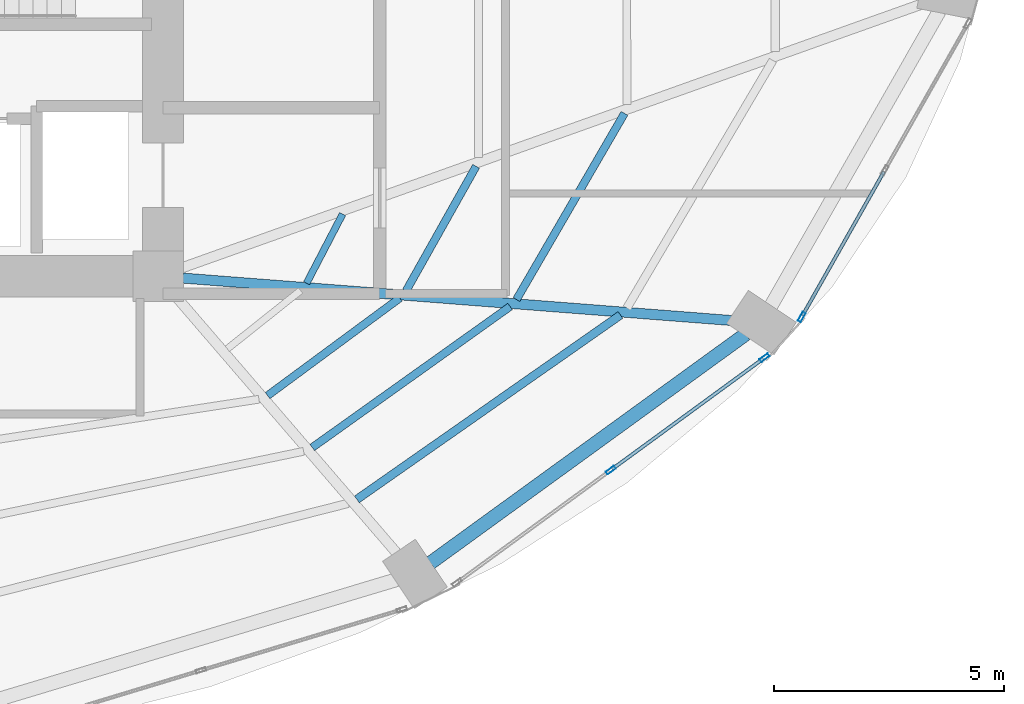
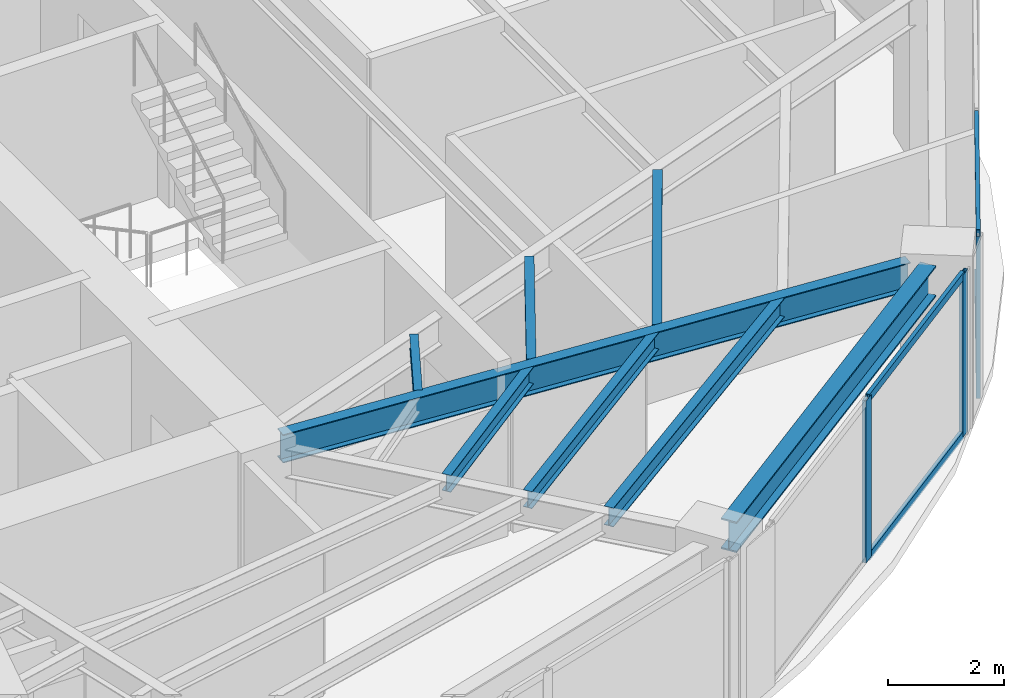
# One storey, part 11 of 25: 8 beams, 7 members, 2 elements without a shape of their own.
"""IFC4 building model written with IfcOpenShell, lengths in metres."""

from ifc_helpers import new_model, si_unit, direction, frame, origin, origin_2d, place, context, subcontext, project, spatial, hollow_rectangle, i_section, extrude, material, layer, layer_set, material_profile, profile_set, type_object, element, aggregate, save


model = new_model("IFC4")

# Units and contexts
model_context = context("Model", 3, precision=1e-05, world=origin(), true_north=direction((0.0, 1.0)))
body_context = subcontext(model_context, "Body", "Model", "MODEL_VIEW")
ifc_project = project(units=[si_unit("LENGTHUNIT", "METRE"), si_unit("AREAUNIT", "SQUARE_METRE"), si_unit("VOLUMEUNIT", "CUBIC_METRE"), si_unit("PLANEANGLEUNIT", "RADIAN"), si_unit("MASSUNIT", "GRAM", prefix="KILO")], contexts=[model_context])

# Site, building, storey
site_placement = place(None, origin())
site = spatial("IfcSite", under=ifc_project, at=site_placement, CompositionType="ELEMENT")
building_placement = place(site_placement, origin())
building = spatial("IfcBuilding", under=site, at=building_placement, Name="Lazwardi Medical Tower", CompositionType="ELEMENT")
storey_placement = place(building_placement, frame((0.0, 0.0, 43.43994140625)))
storey = spatial("IfcBuildingStorey", under=building, at=storey_placement, Name="L10", CompositionType="ELEMENT", Elevation=43.43994140625)

# Beams
ifc_material_1 = material(Name="Steel S355", Category="steel")
ifc_material_profile_1 = material_profile(ifc_material_1, i_section(OverallWidth=0.300048828125, OverallDepth=0.64990234375, WebThickness=0.01611328125, FlangeThickness=0.031005859375, at=origin_2d()), Name="HEB 650")
ifc_profile_set_1 = profile_set([ifc_material_profile_1], Name="Steel S355")
beam_type_1 = type_object("IfcBeamType", Name="BM-RB-Z1", PredefinedType="BEAM", material=ifc_profile_set_1)
beam_1_placement = place(storey_placement, frame((51.52099609375, 14.16259765625, 3.10302734375), z_axis=(0.80939338516, 0.5872668457, 0.0), x_axis=(-0.5872668457, 0.80939338516, 0.0)))
element("IfcBeam", 1, at=beam_1_placement, inside=storey, type_object=beam_type_1, Name="Ring beam RB-02 B02 L10", PredefinedType="BEAM", context=body_context, shape_type="SweptSolid", body=[
    extrude(i_section(OverallWidth=0.300048828125, OverallDepth=0.64990234375, WebThickness=0.01611328125, FlangeThickness=0.031005859375, at=origin_2d()), origin(), (0.0, 0.0, 1.0), 8.47412109375),
])
ifc_material_profile_2 = material_profile(ifc_material_1, i_section(OverallWidth=0.219970703125, OverallDepth=0.60009765625, WebThickness=0.011962890625, FlangeThickness=0.01904296875, at=origin_2d()), Name="IPE 600")
ifc_profile_set_2 = profile_set([ifc_material_profile_2], Name="Steel S355")
beam_type_2 = type_object("IfcBeamType", Name="BM-RG-W1", PredefinedType="BEAM", material=ifc_profile_set_2)
beam_2_placement = place(storey_placement, frame((58.1416015625, 19.430419921875, 3.128173828125), z_axis=(-0.997024241118, 0.077088667283, 0.0), x_axis=(-0.077088667283, -0.997024241118, 0.0)))
element("IfcBeam", 2, at=beam_2_placement, inside=storey, type_object=beam_type_2, Name="Radial girder RG-02 R03 L10", PredefinedType="BEAM", context=body_context, shape_type="SweptSolid", body=[
    extrude(i_section(OverallWidth=0.219970703125, OverallDepth=0.60009765625, WebThickness=0.011962890625, FlangeThickness=0.01904296875, at=origin_2d()), origin(), (0.0, 0.0, 1.0), 12.044189453125),
])
ifc_material_profile_3 = material_profile(ifc_material_1, i_section(OverallWidth=0.179931640625, OverallDepth=0.39990234375, WebThickness=0.008544921875, FlangeThickness=0.013427734375, at=origin_2d()), Name="IPE 400")
ifc_profile_set_3 = profile_set([ifc_material_profile_3], Name="Steel S355")
beam_type_3 = type_object("IfcBeamType", Name="BM-SJ-01", PredefinedType="JOIST", material=ifc_profile_set_3)
beam_3_placement = place(storey_placement, frame((49.91796875, 15.543701171875, 3.22802734375), z_axis=(0.81942522483, 0.573186096231, 0.0), x_axis=(-0.573186096231, 0.81942522483, 0.0)))
element("IfcBeam", 3, at=beam_3_placement, inside=storey, type_object=beam_type_3, Name="Secondary joist SJ-01 R1 B02 L10", PredefinedType="JOIST", context=body_context, shape_type="SweptSolid", body=[
    extrude(i_section(OverallWidth=0.179931640625, OverallDepth=0.39990234375, WebThickness=0.008544921875, FlangeThickness=0.013427734375, at=origin_2d()), origin(), (0.0, 0.0, 1.0), 6.999755859375),
])
ifc_material_profile_4 = material_profile(ifc_material_1, i_section(OverallWidth=0.169921875, OverallDepth=0.360107421875, WebThickness=0.008056640625, FlangeThickness=0.0126953125, at=origin_2d()), Name="IPE 360")
ifc_profile_set_4 = profile_set([ifc_material_profile_4], Name="Steel S355")
beam_type_4 = type_object("IfcBeamType", Name="BM-SJ-02", PredefinedType="JOIST", material=ifc_profile_set_4)
beam_4_placement = place(storey_placement, frame((48.94677734375, 16.672119140625, 3.248046875), z_axis=(0.814341377136, 0.580386183058, 0.0), x_axis=(-0.580386183058, 0.814341377136, 0.0)))
element("IfcBeam", 4, at=beam_4_placement, inside=storey, type_object=beam_type_4, Name="Secondary joist SJ-02 R2 B02 L10", PredefinedType="JOIST", context=body_context, shape_type="SweptSolid", body=[
    extrude(i_section(OverallWidth=0.169921875, OverallDepth=0.360107421875, WebThickness=0.008056640625, FlangeThickness=0.0126953125, at=origin_2d()), origin(), (0.0, 0.0, 1.0), 5.28759765625),
])
beam_5_placement = place(storey_placement, frame((53.39111328125, 19.892578125, 3.248046875), z_axis=(0.501798442848, 0.86498457949, 0.0), x_axis=(-0.86498457949, 0.501798442848, 0.0)))
element("IfcBeam", 5, at=beam_5_placement, inside=storey, type_object=beam_type_4, Name="Secondary joist SJ-02 R2 B03 L10", PredefinedType="JOIST", context=body_context, shape_type="SweptSolid", body=[
    extrude(i_section(OverallWidth=0.169921875, OverallDepth=0.360107421875, WebThickness=0.008056640625, FlangeThickness=0.0126953125, at=origin_2d()), origin(), (0.0, 0.0, 1.0), 4.683349609375),
])
beam_6_placement = place(storey_placement, frame((47.974853515625, 17.80126953125, 3.248046875), z_axis=(0.804580292353, 0.593843879448, 0.0), x_axis=(-0.593843879448, 0.804580292353, 0.0)))
element("IfcBeam", 6, at=beam_6_placement, inside=storey, type_object=beam_type_4, Name="Secondary joist SJ-02 R3 B02 L10", PredefinedType="JOIST", context=body_context, shape_type="SweptSolid", body=[
    extrude(i_section(OverallWidth=0.169921875, OverallDepth=0.360107421875, WebThickness=0.008056640625, FlangeThickness=0.0126953125, at=origin_2d()), origin(), (0.0, 0.0, 1.0), 3.576416015625),
])
beam_7_placement = place(storey_placement, frame((50.988037109375, 20.0791015625, 3.248046875), z_axis=(0.489974339037, 0.87173685656, 0.0), x_axis=(-0.87173685656, 0.489974339037, 0.0)))
element("IfcBeam", 7, at=beam_7_placement, inside=storey, type_object=beam_type_4, Name="Secondary joist SJ-02 R3 B03 L10", PredefinedType="JOIST", context=body_context, shape_type="SweptSolid", body=[
    extrude(i_section(OverallWidth=0.169921875, OverallDepth=0.360107421875, WebThickness=0.008056640625, FlangeThickness=0.0126953125, at=origin_2d()), origin(), (0.0, 0.0, 1.0), 3.111328125),
])
ifc_material_profile_5 = material_profile(ifc_material_1, i_section(OverallWidth=0.14990234375, OverallDepth=0.300048828125, WebThickness=0.007080078125, FlangeThickness=0.0107421875, at=origin_2d()), Name="IPE 300")
ifc_profile_set_5 = profile_set([ifc_material_profile_5], Name="Steel S355")
beam_type_5 = type_object("IfcBeamType", Name="BM-SJ-03", PredefinedType="JOIST", material=ifc_profile_set_5)
beam_8_placement = place(storey_placement, frame((48.82373046875, 20.247802734375, 3.278076171875), z_axis=(0.462162985948, 0.88679500135, 0.0), x_axis=(-0.88679500135, 0.462162985948, 0.0)))
element("IfcBeam", 8, at=beam_8_placement, inside=storey, type_object=beam_type_5, Name="Secondary joist SJ-03 R4 B03 L10", PredefinedType="JOIST", context=body_context, shape_type="SweptSolid", body=[
    extrude(i_section(OverallWidth=0.14990234375, OverallDepth=0.300048828125, WebThickness=0.007080078125, FlangeThickness=0.0107421875, at=origin_2d()), origin(), (0.0, 0.0, 1.0), 1.69775390625),
])

# Curtain wall, members
ifc_material_2 = material(Name="Anodised bronze aluminium and solar control glazing", Category="aluminium")
ifc_layer = layer(ifc_material_2, 0.199951171875)
ifc_layer_set = layer_set([ifc_layer], Name="Anodised bronze aluminium and solar control glazing")
curtain_wall_type = type_object("IfcCurtainWallType", Name="CW-SYS-02", PredefinedType="NOTDEFINED", material=ifc_layer_set)
curtain_wall_1_placement = place(storey_placement, origin())
curtain_wall_1 = element("IfcCurtainWall", 9, at=curtain_wall_1_placement, inside=storey, type_object=curtain_wall_type, Name="L10 Unitised bronze curtain wall CW-02", PredefinedType="NOTDEFINED")
ifc_material_3 = material(Name="Anodised bronze aluminium", Category="aluminium")
ifc_material_profile_6 = material_profile(ifc_material_3, hollow_rectangle(XDim=0.074951171875, YDim=0.219970703125, WallThickness=0.00390625, at=origin_2d()), Name="ALU-MULLION 220x75x4")
ifc_profile_set_6 = profile_set([ifc_material_profile_6], Name="Anodised bronze aluminium")
member_type_1 = type_object("IfcMemberType", Name="CW-MUL-01", PredefinedType="MULLION", material=ifc_profile_set_6)
member_1_placement = place(storey_placement, frame((55.4443359375, 16.1806640625, 0.0), z_axis=(0.0, 0.0, 1.0), x_axis=(-0.590289307341, 0.807191757663, 0.0)))
member_1 = element("IfcMember", 10, at=member_1_placement, type_object=member_type_1, Name="CW-02 mullion 2", PredefinedType="MULLION", context=body_context, shape_type="SweptSolid", body=[
    extrude(hollow_rectangle(XDim=0.074951171875, YDim=0.219970703125, WallThickness=0.00390625, at=origin_2d()), origin(), (0.0, 0.0, 1.0), 3.427978515625),
])
member_2_placement = place(storey_placement, frame((58.790283203125, 18.62744140625, 0.0), z_axis=(0.0, 0.0, 1.0), x_axis=(-0.590289307341, 0.807191757663, 0.0)))
member_2 = element("IfcMember", 11, at=member_2_placement, type_object=member_type_1, Name="CW-02 mullion 3", PredefinedType="MULLION", context=body_context, shape_type="SweptSolid", body=[
    extrude(hollow_rectangle(XDim=0.074951171875, YDim=0.219970703125, WallThickness=0.00390625, at=origin_2d()), origin(), (0.0, 0.0, 1.0), 3.427978515625),
])

# Curtain wall, member
curtain_wall_2_placement = place(storey_placement, origin())
curtain_wall_2 = element("IfcCurtainWall", 12, at=curtain_wall_2_placement, inside=storey, type_object=curtain_wall_type, Name="L10 Unitised bronze curtain wall CW-02", PredefinedType="NOTDEFINED")
member_3_placement = place(storey_placement, frame((59.5966796875, 19.511474609375, 0.0), z_axis=(0.0, 0.0, 1.0), x_axis=(-0.870111838823, 0.492854327303, 0.0)))
member_3 = element("IfcMember", 13, at=member_3_placement, type_object=member_type_1, Name="CW-02 mullion 1", PredefinedType="MULLION", context=body_context, shape_type="SweptSolid", body=[
    extrude(hollow_rectangle(XDim=0.074951171875, YDim=0.219970703125, WallThickness=0.00390625, at=origin_2d()), origin(), (0.0, 0.0, 1.0), 3.427978515625),
])

# Member
ifc_material_profile_7 = material_profile(ifc_material_3, hollow_rectangle(XDim=0.074951171875, YDim=0.159912109375, WallThickness=0.00390625, at=origin_2d()), Name="ALU-TRANSOM 160x75x4")
ifc_profile_set_7 = profile_set([ifc_material_profile_7], Name="Anodised bronze aluminium")
member_type_2 = type_object("IfcMemberType", Name="CW-TRN-01", PredefinedType="USERDEFINED", material=ifc_profile_set_7)
member_4_placement = place(storey_placement, frame((55.474609375, 16.202880859375, 0.03759765625), z_axis=(0.807218536774, 0.590252686472, 0.0), x_axis=(-0.590252686472, 0.807218536774, 0.0)))
member_4 = element("IfcMember", 14, at=member_4_placement, type_object=member_type_2, Name="CW-02 transom 2.1", ObjectType="TRANSOM", PredefinedType="USERDEFINED", context=body_context, shape_type="SweptSolid", body=[
    extrude(hollow_rectangle(XDim=0.074951171875, YDim=0.159912109375, WallThickness=0.00390625, at=origin_2d()), origin(), (0.0, 0.0, 1.0), 4.070068359375),
])

member_5_placement = place(storey_placement, frame((55.474609375, 16.202880859375, 3.390625), z_axis=(0.807218536774, 0.590252686472, 0.0), x_axis=(-0.590252686472, 0.807218536774, 0.0)))
member_5 = element("IfcMember", 15, at=member_5_placement, type_object=member_type_2, Name="CW-02 transom 2.2", ObjectType="TRANSOM", PredefinedType="USERDEFINED", context=body_context, shape_type="SweptSolid", body=[
    extrude(hollow_rectangle(XDim=0.074951171875, YDim=0.159912109375, WallThickness=0.00390625, at=origin_2d()), origin(), (0.0, 0.0, 1.0), 4.070068359375),
])

aggregate(curtain_wall_1, [member_1, member_2, member_4, member_5])

member_6_placement = place(storey_placement, frame((59.615234375, 19.5439453125, 0.03759765625), z_axis=(0.49285148925, 0.870113446365, 0.0), x_axis=(-0.870113446365, 0.49285148925, 0.0)))
member_6 = element("IfcMember", 16, at=member_6_placement, type_object=member_type_2, Name="CW-02 transom 1.1", ObjectType="TRANSOM", PredefinedType="USERDEFINED", context=body_context, shape_type="SweptSolid", body=[
    extrude(hollow_rectangle(XDim=0.074951171875, YDim=0.159912109375, WallThickness=0.00390625, at=origin_2d()), origin(), (0.0, 0.0, 1.0), 3.594970703125),
])

member_7_placement = place(storey_placement, frame((59.615234375, 19.5439453125, 3.390625), z_axis=(0.49285148925, 0.870113446365, 0.0), x_axis=(-0.870113446365, 0.49285148925, 0.0)))
member_7 = element("IfcMember", 17, at=member_7_placement, type_object=member_type_2, Name="CW-02 transom 1.2", ObjectType="TRANSOM", PredefinedType="USERDEFINED", context=body_context, shape_type="SweptSolid", body=[
    extrude(hollow_rectangle(XDim=0.074951171875, YDim=0.159912109375, WallThickness=0.00390625, at=origin_2d()), origin(), (0.0, 0.0, 1.0), 3.594970703125),
])

aggregate(curtain_wall_2, [member_3, member_6, member_7])

save(model, "model.ifc")
